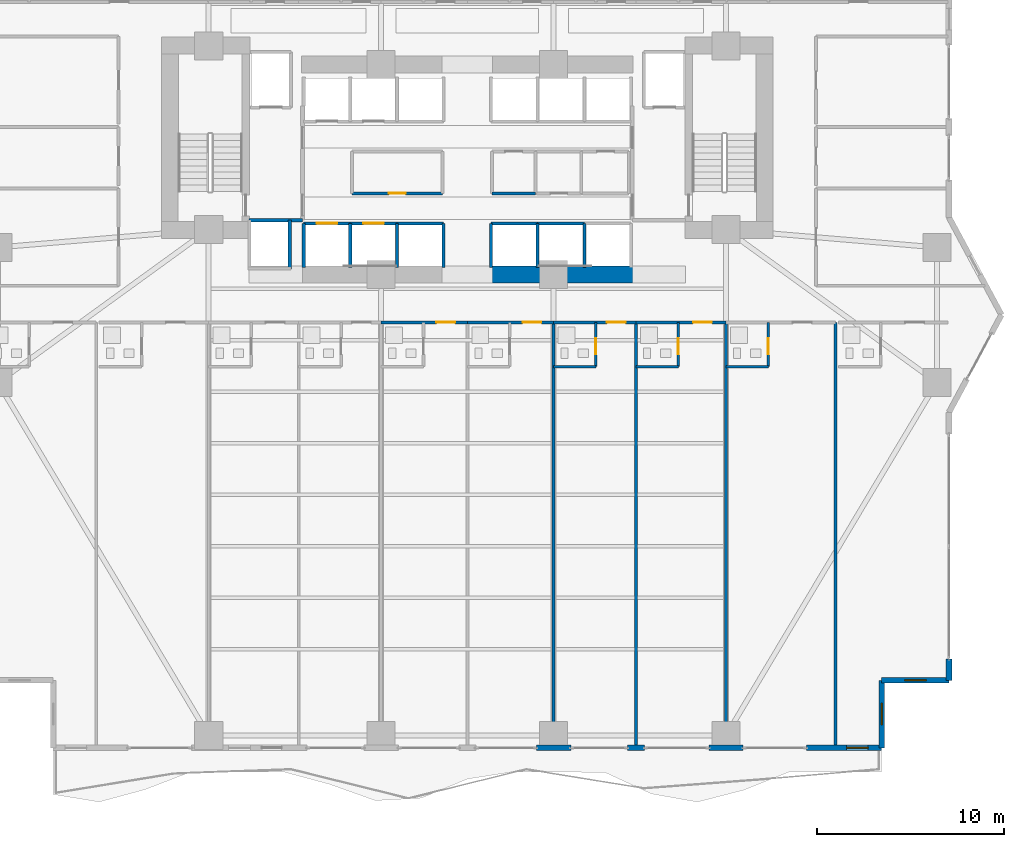
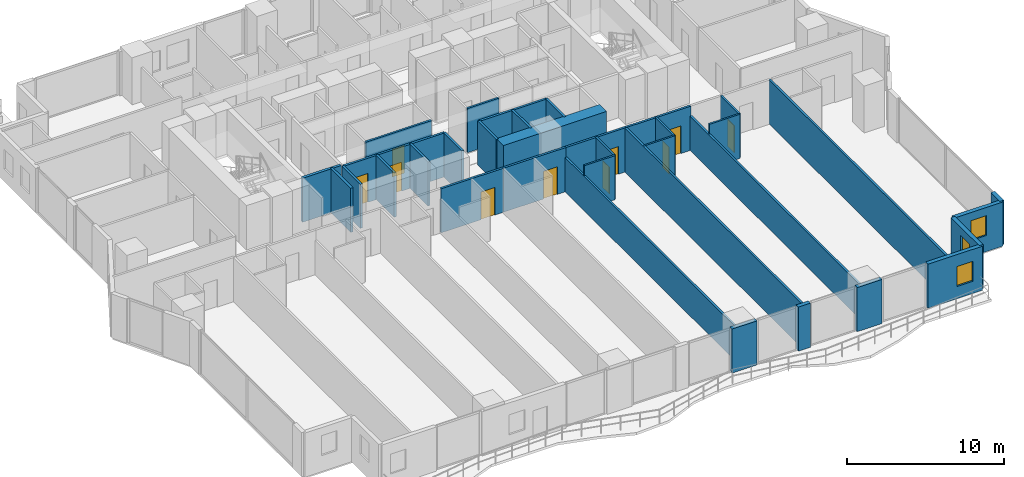
# One storey, part 20 of 29: 38 walls, 10 doors, 3 windows, 13 openings.
"""IFC4 building model written with IfcOpenShell, lengths in metres."""

from ifc_helpers import new_model, si_unit, direction, frame, frame_2d, origin, place, context, subcontext, project, spatial, rectangle, extrude, material, layer, layer_set, type_object, element, fill, save


model = new_model("IFC4")

# Units and contexts
model_context = context("Model", 3, precision=1e-05, world=origin(), true_north=direction((0.0, 1.0)))
body_context = subcontext(model_context, "Body", "Model", "MODEL_VIEW")
ifc_project = project(units=[si_unit("LENGTHUNIT", "METRE"), si_unit("AREAUNIT", "SQUARE_METRE"), si_unit("VOLUMEUNIT", "CUBIC_METRE"), si_unit("PLANEANGLEUNIT", "RADIAN"), si_unit("MASSUNIT", "GRAM", prefix="KILO")], contexts=[model_context])

# Site, building, storey
site_placement = place(None, origin())
site = spatial("IfcSite", under=ifc_project, at=site_placement, CompositionType="ELEMENT")
building_placement = place(site_placement, origin())
building = spatial("IfcBuilding", under=site, at=building_placement, Name="Zuhayl Quay Hotel", CompositionType="ELEMENT")
storey_placement = place(building_placement, frame((0.0, 0.0, 67.75)))
storey = spatial("IfcBuildingStorey", under=building, at=storey_placement, Name="L16", CompositionType="ELEMENT", Elevation=67.75)

# Walls
ifc_material_1 = material(Name="Concrete C70/85", Category="concrete")
ifc_layer_1 = layer(ifc_material_1, 0.89990234375, Name="Concrete C70/85", Category="concrete")
ifc_layer_set_1 = layer_set([ifc_layer_1], Name="Concrete C70/85")
wall_type_1 = type_object("IfcWallType", Name="WL_CORE_900", PredefinedType="SHEAR", material=ifc_layer_set_1)
wall_1_placement = place(storey_placement, frame((1.25, 2.14990234375, 0.0), z_axis=(0.0, 0.0, 1.0), x_axis=(1.0, 0.0, 0.0)))
element("IfcWall", 1, at=wall_1_placement, inside=storey, type_object=wall_type_1, Name="L16 Core Shear Wall CW_SC_E", PredefinedType="SHEAR", context=body_context, shape_type="SweptSolid", body=[
    extrude(rectangle(XDim=7.60009765625, YDim=0.89990234375, at=frame_2d((3.800048828125, 0.0))), origin(), (0.0, 0.0, 1.0), 3.429931640625),
])
ifc_material_2 = material(Name="Precast concrete C45/55", Category="concrete")
ifc_layer_2 = layer(ifc_material_2, 0.300048828125, Name="Precast concrete C45/55", Category="concrete")
ifc_layer_set_2 = layer_set([ifc_layer_2], Name="Precast concrete C45/55")
wall_type_2 = type_object("IfcWallType", Name="WL_EXT_300", PredefinedType="STANDARD", material=ifc_layer_set_2)
wall_2_placement = place(storey_placement, frame((25.699951171875, -18.35009765625, 0.0), z_axis=(0.0, 0.0, 1.0), x_axis=(0.0, -1.0, 0.0)))
element("IfcWall", 2, at=wall_2_placement, inside=storey, type_object=wall_type_2, Name="L16 Exterior Precast Wall ENV_L16_E14_EW2", PredefinedType="STANDARD", context=body_context, shape_type="SweptSolid", body=[
    extrude(rectangle(XDim=1.14990234375, YDim=0.300048828125, at=frame_2d((0.574951171875, 0.0))), origin(), (0.0, 0.0, 1.0), 3.429931640625),
])

# Wall, opening, window
wall_3_placement = place(storey_placement, frame((25.699951171875, -19.5, 0.0), z_axis=(0.0, 0.0, 1.0), x_axis=(-1.0, 0.0, 0.0)))
wall_3 = element("IfcWall", 3, at=wall_3_placement, inside=storey, type_object=wall_type_2, Name="L16 Exterior Precast Wall ENV_L16_EW15", PredefinedType="STANDARD", context=body_context, shape_type="SweptSolid", body=[
    extrude(rectangle(XDim=3.599853515625, YDim=0.300048828125, at=frame_2d((1.7998046875, 0.0))), origin(), (0.0, 0.0, 1.0), 3.429931640625),
])
opening_1_placement = place(wall_3_placement, frame((1.22509765625, 0.0, 1.25)))
opening_1 = element("IfcOpeningElement", 4, at=opening_1_placement, cuts=wall_3, Name="Opening W01N", PredefinedType="OPENING", context=body_context, shape_type="SweptSolid", body=[
    extrude(rectangle(XDim=1.14990234375, YDim=1.550048828125, at=frame_2d((0.574951171875, 0.77490234375))), frame((0.0, 0.159912109375, 0.0), z_axis=(0.0, -1.0, 0.0), x_axis=(1.0, 0.0, 0.0)), (0.0, 0.0, 1.0), 0.320068359375),
])
ifc_material_3 = material(Name="Dark Ceramic-Fritted Solar Glass", Category="glass")
window_type = type_object("IfcWindowType", Name="WN_NOTCH_1350", PartitioningType="SINGLE_PANEL", PredefinedType="WINDOW", material=ifc_material_3)
window_1_placement = place(opening_1_placement, origin())
window_1 = element("IfcWindow", 5, at=window_1_placement, inside=storey, type_object=window_type, Name="L16 Corner Notch Window 15", OverallHeight=1.550048828125, OverallWidth=1.14990234375, PartitioningType="SINGLE_PANEL", PredefinedType="WINDOW", context=body_context, shape_type="SweptSolid", body=[
    extrude(rectangle(XDim=1.14990234375, YDim=1.550048828125, at=frame_2d((0.574951171875, 0.77490234375))), frame((0.0, 0.030029296875, 0.0), z_axis=(0.0, -1.0, 0.0), x_axis=(1.0, 0.0, 0.0)), (0.0, 0.0, 1.0), 0.06005859375),
])
fill(opening_1, window_1)

wall_4_placement = place(storey_placement, frame((22.10009765625, -19.5, 0.0), z_axis=(0.0, 0.0, 1.0), x_axis=(0.0, -1.0, 0.0)))
wall_4 = element("IfcWall", 6, at=wall_4_placement, inside=storey, type_object=wall_type_2, Name="L16 Exterior Precast Wall ENV_L16_EW16", PredefinedType="STANDARD", context=body_context, shape_type="SweptSolid", body=[
    extrude(rectangle(XDim=3.60009765625, YDim=0.300048828125, at=frame_2d((1.800048828125, 0.0))), origin(), (0.0, 0.0, 1.0), 3.429931640625),
])
opening_2_placement = place(wall_4_placement, frame((1.22509765625, 0.0, 1.25)))
opening_2 = element("IfcOpeningElement", 7, at=opening_2_placement, cuts=wall_4, Name="Opening W01N", PredefinedType="OPENING", context=body_context, shape_type="SweptSolid", body=[
    extrude(rectangle(XDim=1.14990234375, YDim=1.550048828125, at=frame_2d((0.574951171875, 0.77490234375))), frame((0.0, 0.159912109375, 0.0), z_axis=(0.0, -1.0, 0.0), x_axis=(1.0, 0.0, 0.0)), (0.0, 0.0, 1.0), 0.320068359375),
])
window_2_placement = place(opening_2_placement, origin())
window_2 = element("IfcWindow", 8, at=window_2_placement, inside=storey, type_object=window_type, Name="L16 Corner Notch Window 16", OverallHeight=1.550048828125, OverallWidth=1.14990234375, PartitioningType="SINGLE_PANEL", PredefinedType="WINDOW", context=body_context, shape_type="SweptSolid", body=[
    extrude(rectangle(XDim=1.14990234375, YDim=1.550048828125, at=frame_2d((0.574951171875, 0.77490234375))), frame((0.0, 0.030029296875, 0.0), z_axis=(0.0, -1.0, 0.0), x_axis=(1.0, 0.0, 0.0)), (0.0, 0.0, 1.0), 0.06005859375),
])
fill(opening_2, window_2)

wall_5_placement = place(storey_placement, frame((22.10009765625, -23.10009765625, 0.0), z_axis=(0.0, 0.0, 1.0), x_axis=(-1.0, 0.0, 0.0)))
wall_5 = element("IfcWall", 9, at=wall_5_placement, inside=storey, type_object=wall_type_2, Name="L16 Exterior Precast Wall ENV_L16_S_EW1", PredefinedType="STANDARD", context=body_context, shape_type="SweptSolid", body=[
    extrude(rectangle(XDim=4.0, YDim=0.300048828125, at=frame_2d((2.0, 0.0))), origin(), (0.0, 0.0, 1.0), 3.429931640625),
])
opening_3_placement = place(wall_5_placement, frame((0.715087890625, 0.0, 0.949951171875)))
opening_3 = element("IfcOpeningElement", 10, at=opening_3_placement, cuts=wall_5, Name="Opening W01N", PredefinedType="OPENING", context=body_context, shape_type="SweptSolid", body=[
    extrude(rectangle(XDim=1.14990234375, YDim=1.550048828125, at=frame_2d((0.574951171875, 0.77490234375))), frame((0.0, 0.159912109375, 0.0), z_axis=(0.0, -1.0, 0.0), x_axis=(1.0, 0.0, 0.0)), (0.0, 0.0, 1.0), 0.320068359375),
])
window_3_placement = place(opening_3_placement, origin())
window_3 = element("IfcWindow", 11, at=window_3_placement, inside=storey, type_object=window_type, Name="L16 Operable Facade Window 1-1", OverallHeight=1.550048828125, OverallWidth=1.14990234375, PartitioningType="SINGLE_PANEL", PredefinedType="WINDOW", context=body_context, shape_type="SweptSolid", body=[
    extrude(rectangle(XDim=1.14990234375, YDim=1.550048828125, at=frame_2d((0.574951171875, 0.77490234375))), frame((0.0, 0.030029296875, 0.0), z_axis=(0.0, -1.0, 0.0), x_axis=(1.0, 0.0, 0.0)), (0.0, 0.0, 1.0), 0.06005859375),
])
fill(opening_3, window_3)

# Walls
wall_6_placement = place(storey_placement, frame((14.719970703125, -23.10009765625, 0.0), z_axis=(0.0, 0.0, 1.0), x_axis=(-1.0, 0.0, 0.0)))
element("IfcWall", 12, at=wall_6_placement, inside=storey, type_object=wall_type_2, Name="L16 Exterior Precast Wall ENV_L16_S_EW2", PredefinedType="STANDARD", context=body_context, shape_type="SweptSolid", body=[
    extrude(rectangle(XDim=1.840087890625, YDim=0.300048828125, at=frame_2d((0.919921875, 0.0))), origin(), (0.0, 0.0, 1.0), 3.429931640625),
])
wall_7_placement = place(storey_placement, frame((9.449951171875, -23.10009765625, 0.0), z_axis=(0.0, 0.0, 1.0), x_axis=(-1.0, 0.0, 0.0)))
element("IfcWall", 13, at=wall_7_placement, inside=storey, type_object=wall_type_2, Name="L16 Exterior Precast Wall ENV_L16_S_EW3", PredefinedType="STANDARD", context=body_context, shape_type="SweptSolid", body=[
    extrude(rectangle(XDim=0.89990234375, YDim=0.300048828125, at=frame_2d((0.449951171875, 0.0))), origin(), (0.0, 0.0, 1.0), 3.429931640625),
])
wall_8_placement = place(storey_placement, frame((5.52001953125, -23.10009765625, 0.0), z_axis=(0.0, 0.0, 1.0), x_axis=(-1.0, 0.0, 0.0)))
element("IfcWall", 14, at=wall_8_placement, inside=storey, type_object=wall_type_2, Name="L16 Exterior Precast Wall ENV_L16_S_EW4", PredefinedType="STANDARD", context=body_context, shape_type="SweptSolid", body=[
    extrude(rectangle(XDim=1.840087890625, YDim=0.300048828125, at=frame_2d((0.919921875, 0.0))), origin(), (0.0, 0.0, 1.0), 3.429931640625),
])

# Wall, opening, door
ifc_material_4 = material(Name="Acoustic Gypsum Partition STC-58")
ifc_layer_3 = layer(ifc_material_4, 0.14990234375, Name="Acoustic Gypsum Partition STC-58")
ifc_layer_set_3 = layer_set([ifc_layer_3], Name="Acoustic Gypsum Partition STC-58")
wall_type_3 = type_object("IfcWallType", Name="WL_PART_150", PredefinedType="PARTITIONING", material=ifc_layer_set_3)
wall_9_placement = place(storey_placement, frame((-6.159912109375, 6.47998046875, 0.0), z_axis=(0.0, 0.0, 1.0), x_axis=(1.0, 0.0, 0.0)))
wall_9 = element("IfcWall", 15, at=wall_9_placement, inside=storey, type_object=wall_type_3, Name="L16 Partition IW_L16_CORE_SV_S", PredefinedType="PARTITIONING", context=body_context, shape_type="SweptSolid", body=[
    extrude(rectangle(XDim=4.83984375, YDim=0.14990234375, at=frame_2d((2.419921875, 0.0))), origin(), (0.0, 0.0, 1.0), 3.429931640625),
])
opening_4_placement = place(wall_9_placement, frame((1.969970703125, 0.0, 0.0)))
opening_4 = element("IfcOpeningElement", 16, at=opening_4_placement, cuts=wall_9, Name="Opening D06", PredefinedType="OPENING", context=body_context, shape_type="SweptSolid", body=[
    extrude(rectangle(XDim=0.89990234375, YDim=2.14990234375, at=frame_2d((0.449951171875, 1.074951171875))), frame((0.0, 0.0849609375, 0.0), z_axis=(0.0, -1.0, 0.0), x_axis=(1.0, 0.0, 0.0)), (0.0, 0.0, 1.0), 0.169921875),
])
ifc_material_5 = material(Name="Steel ASTM A992 Grade 50", Category="steel")
door_type_1 = type_object("IfcDoorType", Name="DR_INT_900", OperationType="NOTDEFINED", PredefinedType="DOOR", material=ifc_material_5)
door_1_placement = place(opening_4_placement, origin())
door_1 = element("IfcDoor", 17, at=door_1_placement, inside=storey, type_object=door_type_1, Name="L16 Core Ice and Linen Store Door", OperationType="SINGLE_SWING_RIGHT", OverallHeight=2.14990234375, OverallWidth=0.89990234375, PredefinedType="DOOR", context=body_context, shape_type="SweptSolid", body=[
    extrude(rectangle(XDim=0.89990234375, YDim=2.14990234375, at=frame_2d((0.449951171875, 1.074951171875))), frame((0.0, 0.02490234375, 0.0), z_axis=(0.0, -1.0, 0.0), x_axis=(1.0, 0.0, 0.0)), (0.0, 0.0, 1.0), 0.050048828125),
])
fill(opening_4, door_1)

# Walls
wall_10_placement = place(storey_placement, frame((1.320068359375, 6.47998046875, 0.0), z_axis=(0.0, 0.0, 1.0), x_axis=(1.0, 0.0, 0.0)))
element("IfcWall", 18, at=wall_10_placement, inside=storey, type_object=wall_type_3, Name="L16 Partition IW_L16_CORE_E1_S", PredefinedType="PARTITIONING", context=body_context, shape_type="SweptSolid", body=[
    extrude(rectangle(XDim=2.31982421875, YDim=0.14990234375, at=frame_2d((1.159912109375, 0.0))), origin(), (0.0, 0.0, 1.0), 3.429931640625),
])
wall_11_placement = place(storey_placement, frame((4.60009765625, -23.02001953125, 0.0), z_axis=(0.0, 0.0, 1.0), x_axis=(0.0, 1.0, 0.0)))
element("IfcWall", 19, at=wall_11_placement, inside=storey, type_object=wall_type_3, Name="L16 Partition IW_L16_SU05_E", PredefinedType="PARTITIONING", context=body_context, shape_type="SweptSolid", body=[
    extrude(rectangle(XDim=22.6201171875, YDim=0.14990234375, at=frame_2d((11.31005859375, 0.0))), origin(), (0.0, 0.0, 1.0), 2.66796875),
])
wall_12_placement = place(storey_placement, frame((9.0, -23.02001953125, 0.0), z_axis=(0.0, 0.0, 1.0), x_axis=(0.0, 1.0, 0.0)))
element("IfcWall", 20, at=wall_12_placement, inside=storey, type_object=wall_type_3, Name="L16 Partition IW_L16_SU06_E", PredefinedType="PARTITIONING", context=body_context, shape_type="SweptSolid", body=[
    extrude(rectangle(XDim=22.6201171875, YDim=0.14990234375, at=frame_2d((11.31005859375, 0.0))), origin(), (0.0, 0.0, 1.0), 3.429931640625),
])
wall_13_placement = place(storey_placement, frame((13.800048828125, -23.02001953125, 0.0), z_axis=(0.0, 0.0, 1.0), x_axis=(0.0, 1.0, 0.0)))
element("IfcWall", 21, at=wall_13_placement, inside=storey, type_object=wall_type_3, Name="L16 Partition IW_L16_SU07_E", PredefinedType="PARTITIONING", context=body_context, shape_type="SweptSolid", body=[
    extrude(rectangle(XDim=22.6201171875, YDim=0.14990234375, at=frame_2d((11.31005859375, 0.0))), origin(), (0.0, 0.0, 1.0), 2.66796875),
])
wall_14_placement = place(storey_placement, frame((19.639892578125, -23.02001953125, 0.0), z_axis=(0.0, 0.0, 1.0), x_axis=(0.0, 1.0, 0.0)))
element("IfcWall", 22, at=wall_14_placement, inside=storey, type_object=wall_type_3, Name="L16 Partition IW_L16_SU08A_E", PredefinedType="PARTITIONING", context=body_context, shape_type="SweptSolid", body=[
    extrude(rectangle(XDim=22.6201171875, YDim=0.14990234375, at=frame_2d((11.31005859375, 0.0))), origin(), (0.0, 0.0, 1.0), 3.429931640625),
])

# Wall, opening, door
ifc_layer_4 = layer(ifc_material_4, 0.159912109375, Name="Acoustic Gypsum Partition STC-58")
ifc_layer_set_4 = layer_set([ifc_layer_4], Name="Acoustic Gypsum Partition STC-58")
wall_type_4 = type_object("IfcWallType", Name="WL_PART_CORR_160", PredefinedType="PARTITIONING", material=ifc_layer_set_4)
wall_15_placement = place(storey_placement, frame((-4.60009765625, -0.39990234375, 0.0), z_axis=(0.0, 0.0, 1.0), x_axis=(1.0, 0.0, 0.0)))
wall_15 = element("IfcWall", 23, at=wall_15_placement, inside=storey, type_object=wall_type_4, Name="L16 Partition IW_L16_SU04_COR", PredefinedType="PARTITIONING", context=body_context, shape_type="SweptSolid", body=[
    extrude(rectangle(XDim=4.60009765625, YDim=0.159912109375, at=frame_2d((2.300048828125, 0.0))), origin(), (0.0, 0.0, 1.0), 3.429931640625),
])
opening_5_placement = place(wall_15_placement, frame((2.949951171875, 0.0, 0.0)))
opening_5 = element("IfcOpeningElement", 24, at=opening_5_placement, cuts=wall_15, Name="Opening D03L", PredefinedType="OPENING", context=body_context, shape_type="SweptSolid", body=[
    extrude(rectangle(XDim=1.0, YDim=2.14990234375, at=frame_2d((0.5, 1.074951171875))), frame((0.0, 0.08984375, 0.0), z_axis=(0.0, -1.0, 0.0), x_axis=(1.0, 0.0, 0.0)), (0.0, 0.0, 1.0), 0.179931640625),
])
ifc_material_6 = material(Name="Solid Walnut Acoustic Fire Door")
door_type_2 = type_object("IfcDoorType", Name="DR_SUITE_1000", OperationType="NOTDEFINED", PredefinedType="DOOR", material=ifc_material_6)
door_2_placement = place(opening_5_placement, origin())
door_2 = element("IfcDoor", 25, at=door_2_placement, inside=storey, type_object=door_type_2, Name="L16 Premier Twin Junior Suite L16-04 Entrance Door", OperationType="SINGLE_SWING_LEFT", OverallHeight=2.14990234375, OverallWidth=1.0, PredefinedType="DOOR", context=body_context, shape_type="SweptSolid", body=[
    extrude(rectangle(XDim=1.0, YDim=2.14990234375, at=frame_2d((0.5, 1.074951171875))), frame((0.0, 0.02490234375, 0.0), z_axis=(0.0, -1.0, 0.0), x_axis=(1.0, 0.0, 0.0)), (0.0, 0.0, 1.0), 0.050048828125),
])
fill(opening_5, door_2)

wall_16_placement = place(storey_placement, frame((0.0, -0.39990234375, 0.0), z_axis=(0.0, 0.0, 1.0), x_axis=(1.0, 0.0, 0.0)))
wall_16 = element("IfcWall", 26, at=wall_16_placement, inside=storey, type_object=wall_type_4, Name="L16 Partition IW_L16_SU05_COR", PredefinedType="PARTITIONING", context=body_context, shape_type="SweptSolid", body=[
    extrude(rectangle(XDim=4.60009765625, YDim=0.159912109375, at=frame_2d((2.300048828125, 0.0))), origin(), (0.0, 0.0, 1.0), 3.429931640625),
])
opening_6_placement = place(wall_16_placement, frame((2.949951171875, 0.0, 0.0)))
opening_6 = element("IfcOpeningElement", 27, at=opening_6_placement, cuts=wall_16, Name="Opening D03L", PredefinedType="OPENING", context=body_context, shape_type="SweptSolid", body=[
    extrude(rectangle(XDim=1.0, YDim=2.14990234375, at=frame_2d((0.5, 1.074951171875))), frame((0.0, 0.08984375, 0.0), z_axis=(0.0, -1.0, 0.0), x_axis=(1.0, 0.0, 0.0)), (0.0, 0.0, 1.0), 0.179931640625),
])
door_3_placement = place(opening_6_placement, origin())
door_3 = element("IfcDoor", 28, at=door_3_placement, inside=storey, type_object=door_type_2, Name="L16 Premier Twin Junior Suite L16-05 Entrance Door", OperationType="SINGLE_SWING_LEFT", OverallHeight=2.14990234375, OverallWidth=1.0, PredefinedType="DOOR", context=body_context, shape_type="SweptSolid", body=[
    extrude(rectangle(XDim=1.0, YDim=2.14990234375, at=frame_2d((0.5, 1.074951171875))), frame((0.0, 0.02490234375, 0.0), z_axis=(0.0, -1.0, 0.0), x_axis=(1.0, 0.0, 0.0)), (0.0, 0.0, 1.0), 0.050048828125),
])
fill(opening_6, door_3)

wall_17_placement = place(storey_placement, frame((4.60009765625, -0.39990234375, 0.0), z_axis=(0.0, 0.0, 1.0), x_axis=(1.0, 0.0, 0.0)))
wall_17 = element("IfcWall", 29, at=wall_17_placement, inside=storey, type_object=wall_type_4, Name="L16 Partition IW_L16_SU06_COR", PredefinedType="PARTITIONING", context=body_context, shape_type="SweptSolid", body=[
    extrude(rectangle(XDim=4.39990234375, YDim=0.159912109375, at=frame_2d((2.199951171875, 0.0))), origin(), (0.0, 0.0, 1.0), 3.429931640625),
])
opening_7_placement = place(wall_17_placement, frame((2.85009765625, 0.0, 0.0)))
opening_7 = element("IfcOpeningElement", 30, at=opening_7_placement, cuts=wall_17, Name="Opening D03L", PredefinedType="OPENING", context=body_context, shape_type="SweptSolid", body=[
    extrude(rectangle(XDim=1.0, YDim=2.14990234375, at=frame_2d((0.5, 1.074951171875))), frame((0.0, 0.08984375, 0.0), z_axis=(0.0, -1.0, 0.0), x_axis=(1.0, 0.0, 0.0)), (0.0, 0.0, 1.0), 0.179931640625),
])
door_4_placement = place(opening_7_placement, origin())
door_4 = element("IfcDoor", 31, at=door_4_placement, inside=storey, type_object=door_type_2, Name="L16 Premier Twin Junior Suite L16-06 Entrance Door", OperationType="SINGLE_SWING_LEFT", OverallHeight=2.14990234375, OverallWidth=1.0, PredefinedType="DOOR", context=body_context, shape_type="SweptSolid", body=[
    extrude(rectangle(XDim=1.0, YDim=2.14990234375, at=frame_2d((0.5, 1.074951171875))), frame((0.0, 0.02490234375, 0.0), z_axis=(0.0, -1.0, 0.0), x_axis=(1.0, 0.0, 0.0)), (0.0, 0.0, 1.0), 0.050048828125),
])
fill(opening_7, door_4)

wall_18_placement = place(storey_placement, frame((9.0, -0.39990234375, 0.0), z_axis=(0.0, 0.0, 1.0), x_axis=(1.0, 0.0, 0.0)))
wall_18 = element("IfcWall", 32, at=wall_18_placement, inside=storey, type_object=wall_type_4, Name="L16 Partition IW_L16_SU07_COR", PredefinedType="PARTITIONING", context=body_context, shape_type="SweptSolid", body=[
    extrude(rectangle(XDim=4.800048828125, YDim=0.159912109375, at=frame_2d((2.39990234375, 0.0))), origin(), (0.0, 0.0, 1.0), 3.429931640625),
])
opening_8_placement = place(wall_18_placement, frame((3.050048828125, 0.0, 0.0)))
opening_8 = element("IfcOpeningElement", 33, at=opening_8_placement, cuts=wall_18, Name="Opening D03L", PredefinedType="OPENING", context=body_context, shape_type="SweptSolid", body=[
    extrude(rectangle(XDim=1.0, YDim=2.14990234375, at=frame_2d((0.5, 1.074951171875))), frame((0.0, 0.08984375, 0.0), z_axis=(0.0, -1.0, 0.0), x_axis=(1.0, 0.0, 0.0)), (0.0, 0.0, 1.0), 0.179931640625),
])
door_5_placement = place(opening_8_placement, origin())
door_5 = element("IfcDoor", 34, at=door_5_placement, inside=storey, type_object=door_type_2, Name="L16 Premier Twin Junior Suite L16-07 Entrance Door", OperationType="SINGLE_SWING_LEFT", OverallHeight=2.14990234375, OverallWidth=1.0, PredefinedType="DOOR", context=body_context, shape_type="SweptSolid", body=[
    extrude(rectangle(XDim=1.0, YDim=2.14990234375, at=frame_2d((0.5, 1.074951171875))), frame((0.0, 0.02490234375, 0.0), z_axis=(0.0, -1.0, 0.0), x_axis=(1.0, 0.0, 0.0)), (0.0, 0.0, 1.0), 0.050048828125),
])
fill(opening_8, door_5)

ifc_material_7 = material(Name="Moisture-Resistant Sanitarychase Gypsum")
ifc_layer_5 = layer(ifc_material_7, 0.135009765625, Name="Moisture-Resistant Sanitarychase Gypsum")
ifc_layer_set_5 = layer_set([ifc_layer_5], Name="Moisture-Resistant Sanitarychase Gypsum")
wall_type_5 = type_object("IfcWallType", Name="WL_PART_PLUMB_150", PredefinedType="PLUMBINGWALL", material=ifc_layer_set_5)
wall_19_placement = place(storey_placement, frame((6.860107421875, -2.760009765625, 0.0), z_axis=(0.0, 0.0, 1.0), x_axis=(0.0, 1.0, 0.0)))
wall_19 = element("IfcWall", 35, at=wall_19_placement, inside=storey, type_object=wall_type_5, Name="L16 Partition IW_L16_SU06_BE", PredefinedType="PLUMBINGWALL", context=body_context, shape_type="SweptSolid", body=[
    extrude(rectangle(XDim=2.360107421875, YDim=0.135009765625, at=frame_2d((1.18017578125, 0.0))), origin(), (0.0, 0.0, 1.0), 3.429931640625),
])
opening_9_placement = place(wall_19_placement, frame((0.64990234375, 0.0, 0.0)))
opening_9 = element("IfcOpeningElement", 36, at=opening_9_placement, cuts=wall_19, Name="Opening D04", PredefinedType="OPENING", context=body_context, shape_type="SweptSolid", body=[
    extrude(rectangle(XDim=0.85009765625, YDim=2.10009765625, at=frame_2d((0.425048828125, 1.050048828125))), frame((0.0, 0.077392578125, 0.0), z_axis=(0.0, -1.0, 0.0), x_axis=(1.0, 0.0, 0.0)), (0.0, 0.0, 1.0), 0.155029296875),
])
ifc_material_8 = material(Name="Moisture-Resistant Walnut Veneer")
door_type_3 = type_object("IfcDoorType", Name="DR_BATH_850", OperationType="NOTDEFINED", PredefinedType="DOOR", material=ifc_material_8)
door_6_placement = place(opening_9_placement, origin())
door_6 = element("IfcDoor", 37, at=door_6_placement, inside=storey, type_object=door_type_3, Name="L16 Premier Twin Junior Suite L16-06 En-Suite Door", OperationType="SINGLE_SWING_RIGHT", OverallHeight=2.10009765625, OverallWidth=0.85009765625, PredefinedType="DOOR", context=body_context, shape_type="SweptSolid", body=[
    extrude(rectangle(XDim=0.85009765625, YDim=2.10009765625, at=frame_2d((0.425048828125, 1.050048828125))), frame((0.0, 0.02490234375, 0.0), z_axis=(0.0, -1.0, 0.0), x_axis=(1.0, 0.0, 0.0)), (0.0, 0.0, 1.0), 0.050048828125),
])
fill(opening_9, door_6)

wall_20_placement = place(storey_placement, frame((11.260009765625, -2.760009765625, 0.0), z_axis=(0.0, 0.0, 1.0), x_axis=(0.0, 1.0, 0.0)))
wall_20 = element("IfcWall", 38, at=wall_20_placement, inside=storey, type_object=wall_type_5, Name="L16 Partition IW_L16_SU07_BE", PredefinedType="PLUMBINGWALL", context=body_context, shape_type="SweptSolid", body=[
    extrude(rectangle(XDim=2.360107421875, YDim=0.135009765625, at=frame_2d((1.18017578125, 0.0))), origin(), (0.0, 0.0, 1.0), 3.429931640625),
])
opening_10_placement = place(wall_20_placement, frame((0.64990234375, 0.0, 0.0)))
opening_10 = element("IfcOpeningElement", 39, at=opening_10_placement, cuts=wall_20, Name="Opening D04", PredefinedType="OPENING", context=body_context, shape_type="SweptSolid", body=[
    extrude(rectangle(XDim=0.85009765625, YDim=2.10009765625, at=frame_2d((0.425048828125, 1.050048828125))), frame((0.0, 0.077392578125, 0.0), z_axis=(0.0, -1.0, 0.0), x_axis=(1.0, 0.0, 0.0)), (0.0, 0.0, 1.0), 0.155029296875),
])
door_7_placement = place(opening_10_placement, origin())
door_7 = element("IfcDoor", 40, at=door_7_placement, inside=storey, type_object=door_type_3, Name="L16 Premier Twin Junior Suite L16-07 En-Suite Door", OperationType="SINGLE_SWING_RIGHT", OverallHeight=2.10009765625, OverallWidth=0.85009765625, PredefinedType="DOOR", context=body_context, shape_type="SweptSolid", body=[
    extrude(rectangle(XDim=0.85009765625, YDim=2.10009765625, at=frame_2d((0.425048828125, 1.050048828125))), frame((0.0, 0.02490234375, 0.0), z_axis=(0.0, -1.0, 0.0), x_axis=(1.0, 0.0, 0.0)), (0.0, 0.0, 1.0), 0.050048828125),
])
fill(opening_10, door_7)

wall_21_placement = place(storey_placement, frame((16.06005859375, -2.760009765625, 0.0), z_axis=(0.0, 0.0, 1.0), x_axis=(0.0, 1.0, 0.0)))
wall_21 = element("IfcWall", 41, at=wall_21_placement, inside=storey, type_object=wall_type_5, Name="L16 Partition IW_L16_SU08A_BE", PredefinedType="PLUMBINGWALL", context=body_context, shape_type="SweptSolid", body=[
    extrude(rectangle(XDim=2.360107421875, YDim=0.135009765625, at=frame_2d((1.18017578125, 0.0))), origin(), (0.0, 0.0, 1.0), 3.429931640625),
])
opening_11_placement = place(wall_21_placement, frame((0.64990234375, 0.0, 0.0)))
opening_11 = element("IfcOpeningElement", 42, at=opening_11_placement, cuts=wall_21, Name="Opening D04", PredefinedType="OPENING", context=body_context, shape_type="SweptSolid", body=[
    extrude(rectangle(XDim=0.85009765625, YDim=2.10009765625, at=frame_2d((0.425048828125, 1.050048828125))), frame((0.0, 0.077392578125, 0.0), z_axis=(0.0, -1.0, 0.0), x_axis=(1.0, 0.0, 0.0)), (0.0, 0.0, 1.0), 0.155029296875),
])
door_8_placement = place(opening_11_placement, origin())
door_8 = element("IfcDoor", 43, at=door_8_placement, inside=storey, type_object=door_type_3, Name="L16 Premier Twin Junior Suite L16-08A En-Suite Door", OperationType="SINGLE_SWING_RIGHT", OverallHeight=2.10009765625, OverallWidth=0.85009765625, PredefinedType="DOOR", context=body_context, shape_type="SweptSolid", body=[
    extrude(rectangle(XDim=0.85009765625, YDim=2.10009765625, at=frame_2d((0.425048828125, 1.050048828125))), frame((0.0, 0.02490234375, 0.0), z_axis=(0.0, -1.0, 0.0), x_axis=(1.0, 0.0, 0.0)), (0.0, 0.0, 1.0), 0.050048828125),
])
fill(opening_11, door_8)

# Walls
for number, where, z_axis, x_axis, name in (
    (44, (4.60009765625, -2.760009765625, 0.0), (0.0, 0.0, 1.0), (1.0, 0.0, 0.0), "L16 Partition IW_L16_SU06_BS"),
    (45, (9.0, -2.760009765625, 0.0), (0.0, 0.0, 1.0), (1.0, 0.0, 0.0), "L16 Partition IW_L16_SU07_BS"),
    (46, (13.800048828125, -2.760009765625, 0.0), (0.0, 0.0, 1.0), (1.0, 0.0, 0.0), "L16 Partition IW_L16_SU08A_BS"),
):
    element("IfcWall", number, at=place(storey_placement, frame(where, z_axis=z_axis, x_axis=x_axis)), inside=storey, type_object=wall_type_5, Name=name, PredefinedType="PLUMBINGWALL", context=body_context, shape_type="SweptSolid", body=[
        extrude(rectangle(XDim=2.260009765625, YDim=0.135009765625, at=frame_2d((1.1298828125, 0.0))), origin(), (0.0, 0.0, 1.0), 3.429931640625),
    ])

# Wall, opening, door
ifc_material_9 = material(Name="Gypsum Fireboard Assembly EI-90")
ifc_layer_6 = layer(ifc_material_9, 0.1650390625, Name="Gypsum Fireboard Assembly EI-90")
ifc_layer_set_6 = layer_set([ifc_layer_6], Name="Gypsum Fireboard Assembly EI-90")
wall_type_6 = type_object("IfcWallType", Name="WL_PART_SHAFT_160", PredefinedType="PARTITIONING", material=ifc_layer_set_6)
wall_22_placement = place(storey_placement, frame((-8.72998046875, 4.8798828125, 0.0), z_axis=(0.0, 0.0, 1.0), x_axis=(1.0, 0.0, 0.0)))
wall_22 = element("IfcWall", 47, at=wall_22_placement, inside=storey, type_object=wall_type_6, Name="L16 Partition IW_L16_SH_LP1_F", PredefinedType="PARTITIONING", context=body_context, shape_type="SweptSolid", body=[
    extrude(rectangle(XDim=2.47998046875, YDim=0.1650390625, at=frame_2d((1.239990234375, 0.0))), origin(), (0.0, 0.0, 1.0), 3.429931640625),
])
opening_12_placement = place(wall_22_placement, frame((0.68994140625, 0.0, 0.0)))
opening_12 = element("IfcOpeningElement", 48, at=opening_12_placement, cuts=wall_22, Name="Opening LD1", PredefinedType="OPENING", context=body_context, shape_type="SweptSolid", body=[
    extrude(rectangle(XDim=1.10009765625, YDim=2.25, at=frame_2d((0.550048828125, 1.125))), frame((0.0, 0.092529296875, 0.0), z_axis=(0.0, -1.0, 0.0), x_axis=(1.0, 0.0, 0.0)), (0.0, 0.0, 1.0), 0.18505859375),
])
ifc_material_10 = material(Name="Brushed Stainless Steel", Category="steel")
door_type_4 = type_object("IfcDoorType", Name="DR_LIFT_PASS_1100", OperationType="SLIDING_TO_LEFT", PredefinedType="DOOR", material=ifc_material_10)
door_9_placement = place(opening_12_placement, origin())
door_9 = element("IfcDoor", 49, at=door_9_placement, inside=storey, type_object=door_type_4, Name="L16 Lift LP1 Sliding Landing Door", OperationType="SLIDING_TO_LEFT", OverallHeight=2.25, OverallWidth=1.10009765625, PredefinedType="DOOR", context=body_context, shape_type="SweptSolid", body=[
    extrude(rectangle(XDim=1.10009765625, YDim=2.25, at=frame_2d((0.550048828125, 1.125))), frame((0.0, 0.02490234375, 0.0), z_axis=(0.0, -1.0, 0.0), x_axis=(1.0, 0.0, 0.0)), (0.0, 0.0, 1.0), 0.050048828125),
])
fill(opening_12, door_9)

wall_23_placement = place(storey_placement, frame((-6.25, 4.8798828125, 0.0), z_axis=(0.0, 0.0, 1.0), x_axis=(1.0, 0.0, 0.0)))
wall_23 = element("IfcWall", 50, at=wall_23_placement, inside=storey, type_object=wall_type_6, Name="L16 Partition IW_L16_SH_LP2_F", PredefinedType="PARTITIONING", context=body_context, shape_type="SweptSolid", body=[
    extrude(rectangle(XDim=2.5, YDim=0.1650390625, at=frame_2d((1.25, 0.0))), origin(), (0.0, 0.0, 1.0), 3.429931640625),
])
opening_13_placement = place(wall_23_placement, frame((0.699951171875, 0.0, 0.0)))
opening_13 = element("IfcOpeningElement", 51, at=opening_13_placement, cuts=wall_23, Name="Opening LD1", PredefinedType="OPENING", context=body_context, shape_type="SweptSolid", body=[
    extrude(rectangle(XDim=1.10009765625, YDim=2.25, at=frame_2d((0.550048828125, 1.125))), frame((0.0, 0.092529296875, 0.0), z_axis=(0.0, -1.0, 0.0), x_axis=(1.0, 0.0, 0.0)), (0.0, 0.0, 1.0), 0.18505859375),
])
door_10_placement = place(opening_13_placement, origin())
door_10 = element("IfcDoor", 52, at=door_10_placement, inside=storey, type_object=door_type_4, Name="L16 Lift LP2 Sliding Landing Door", OperationType="SLIDING_TO_LEFT", OverallHeight=2.25, OverallWidth=1.10009765625, PredefinedType="DOOR", context=body_context, shape_type="SweptSolid", body=[
    extrude(rectangle(XDim=1.10009765625, YDim=2.25, at=frame_2d((0.550048828125, 1.125))), frame((0.0, 0.02490234375, 0.0), z_axis=(0.0, -1.0, 0.0), x_axis=(1.0, 0.0, 0.0)), (0.0, 0.0, 1.0), 0.050048828125),
])
fill(opening_13, door_10)

# Walls
for number, where, z_axis, x_axis, name in (
    (53, (-8.72998046875, 2.52001953125, 0.0), (0.0, 0.0, 1.0), (0.0, 1.0, 0.0), "L16 Partition IW_L16_SH_LP1_W"),
    (54, (-6.25, 2.52001953125, 0.0), (0.0, 0.0, 1.0), (0.0, 1.0, 0.0), "L16 Partition IW_L16_SH_LP1_E"),
    (55, (-3.75, 2.52001953125, 0.0), (0.0, 0.0, 1.0), (0.0, 1.0, 0.0), "L16 Partition IW_L16_SH_LP2_E"),
):
    element("IfcWall", number, at=place(storey_placement, frame(where, z_axis=z_axis, x_axis=x_axis)), inside=storey, type_object=wall_type_6, Name=name, PredefinedType="PARTITIONING", context=body_context, shape_type="SweptSolid", body=[
        extrude(rectangle(XDim=2.35986328125, YDim=0.1650390625, at=frame_2d((1.179931640625, 0.0))), origin(), (0.0, 0.0, 1.0), 3.429931640625),
    ])
wall_24_placement = place(storey_placement, frame((-3.75, 4.8798828125, 0.0), z_axis=(0.0, 0.0, 1.0), x_axis=(1.0, 0.0, 0.0)))
element("IfcWall", 56, at=wall_24_placement, inside=storey, type_object=wall_type_6, Name="L16 Partition IW_L16_SH_MP1_F", PredefinedType="PARTITIONING", context=body_context, shape_type="SweptSolid", body=[
    extrude(rectangle(XDim=2.47998046875, YDim=0.1650390625, at=frame_2d((1.239990234375, 0.0))), origin(), (0.0, 0.0, 1.0), 3.429931640625),
])
wall_25_placement = place(storey_placement, frame((-1.27001953125, 2.52001953125, 0.0), z_axis=(0.0, 0.0, 1.0), x_axis=(0.0, 1.0, 0.0)))
element("IfcWall", 57, at=wall_25_placement, inside=storey, type_object=wall_type_6, Name="L16 Partition IW_L16_SH_MP1_E", PredefinedType="PARTITIONING", context=body_context, shape_type="SweptSolid", body=[
    extrude(rectangle(XDim=2.35986328125, YDim=0.1650390625, at=frame_2d((1.179931640625, 0.0))), origin(), (0.0, 0.0, 1.0), 3.429931640625),
])
wall_26_placement = place(storey_placement, frame((1.27001953125, 4.8798828125, 0.0), z_axis=(0.0, 0.0, 1.0), x_axis=(1.0, 0.0, 0.0)))
element("IfcWall", 58, at=wall_26_placement, inside=storey, type_object=wall_type_6, Name="L16 Partition IW_L16_SH_MP2_F", PredefinedType="PARTITIONING", context=body_context, shape_type="SweptSolid", body=[
    extrude(rectangle(XDim=2.47998046875, YDim=0.1650390625, at=frame_2d((1.239990234375, 0.0))), origin(), (0.0, 0.0, 1.0), 3.429931640625),
])
for number, where, z_axis, x_axis, name in (
    (59, (1.27001953125, 2.52001953125, 0.0), (0.0, 0.0, 1.0), (0.0, 1.0, 0.0), "L16 Partition IW_L16_SH_MP2_W"),
    (60, (3.75, 2.52001953125, 0.0), (0.0, 0.0, 1.0), (0.0, 1.0, 0.0), "L16 Partition IW_L16_SH_MP2_E"),
):
    element("IfcWall", number, at=place(storey_placement, frame(where, z_axis=z_axis, x_axis=x_axis)), inside=storey, type_object=wall_type_6, Name=name, PredefinedType="PARTITIONING", context=body_context, shape_type="SweptSolid", body=[
        extrude(rectangle(XDim=2.35986328125, YDim=0.1650390625, at=frame_2d((1.179931640625, 0.0))), origin(), (0.0, 0.0, 1.0), 3.429931640625),
    ])
wall_27_placement = place(storey_placement, frame((3.75, 4.8798828125, 0.0), z_axis=(0.0, 0.0, 1.0), x_axis=(1.0, 0.0, 0.0)))
element("IfcWall", 61, at=wall_27_placement, inside=storey, type_object=wall_type_6, Name="L16 Partition IW_L16_SH_HP1_F", PredefinedType="PARTITIONING", context=body_context, shape_type="SweptSolid", body=[
    extrude(rectangle(XDim=2.5, YDim=0.1650390625, at=frame_2d((1.25, 0.0))), origin(), (0.0, 0.0, 1.0), 3.429931640625),
])
wall_28_placement = place(storey_placement, frame((6.25, 2.52001953125, 0.0), z_axis=(0.0, 0.0, 1.0), x_axis=(0.0, 1.0, 0.0)))
element("IfcWall", 62, at=wall_28_placement, inside=storey, type_object=wall_type_6, Name="L16 Partition IW_L16_SH_HP1_E", PredefinedType="PARTITIONING", context=body_context, shape_type="SweptSolid", body=[
    extrude(rectangle(XDim=2.35986328125, YDim=0.1650390625, at=frame_2d((1.179931640625, 0.0))), origin(), (0.0, 0.0, 1.0), 3.429931640625),
])
ifc_layer_7 = layer(ifc_material_9, 0.179931640625, Name="Gypsum Fireboard Assembly EI-90")
ifc_layer_set_7 = layer_set([ifc_layer_7], Name="Gypsum Fireboard Assembly EI-90")
wall_type_7 = type_object("IfcWallType", Name="WL_PART_SHAFT_180", PredefinedType="PARTITIONING", material=ifc_layer_set_7)
wall_29_placement = place(storey_placement, frame((-9.469970703125, 2.449951171875, 0.0), z_axis=(0.0, 0.0, 1.0), x_axis=(0.0, 1.0, 0.0)))
element("IfcWall", 63, at=wall_29_placement, inside=storey, type_object=wall_type_7, Name="L16 Partition IW_L16_RISER_E", PredefinedType="PARTITIONING", context=body_context, shape_type="SweptSolid", body=[
    extrude(rectangle(XDim=2.60009765625, YDim=0.179931640625, at=frame_2d((1.300048828125, 0.0))), origin(), (0.0, 0.0, 1.0), 3.429931640625),
])
ifc_material_11 = material(Name="Gypsum Fireboard Assembly EI-120")
ifc_layer_8 = layer(ifc_material_11, 0.199951171875, Name="Gypsum Fireboard Assembly EI-120")
ifc_layer_set_8 = layer_set([ifc_layer_8], Name="Gypsum Fireboard Assembly EI-120")
wall_type_8 = type_object("IfcWallType", Name="WL_PART_SHAFT_200", PredefinedType="PARTITIONING", material=ifc_layer_set_8)
wall_30_placement = place(storey_placement, frame((-11.64990234375, 5.050048828125, 0.0), z_axis=(0.0, 0.0, 1.0), x_axis=(1.0, 0.0, 0.0)))
element("IfcWall", 64, at=wall_30_placement, inside=storey, type_object=wall_type_8, Name="L16 Partition IW_L16_FSAE_W_S", PredefinedType="PARTITIONING", context=body_context, shape_type="SweptSolid", body=[
    extrude(rectangle(XDim=2.849853515625, YDim=0.199951171875, at=frame_2d((1.4248046875, 0.0))), origin(), (0.0, 0.0, 1.0), 3.429931640625),
])

save(model, "model.ifc")
